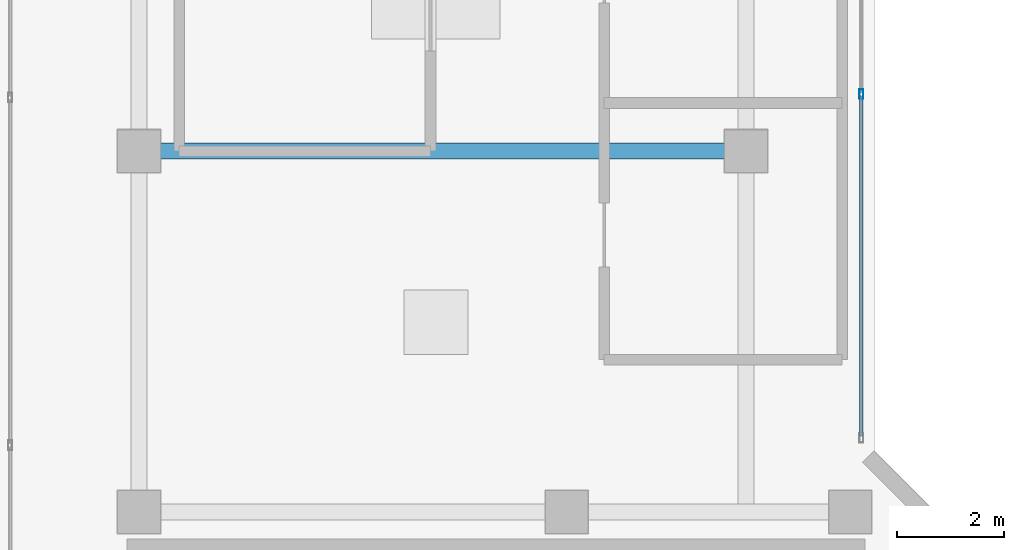
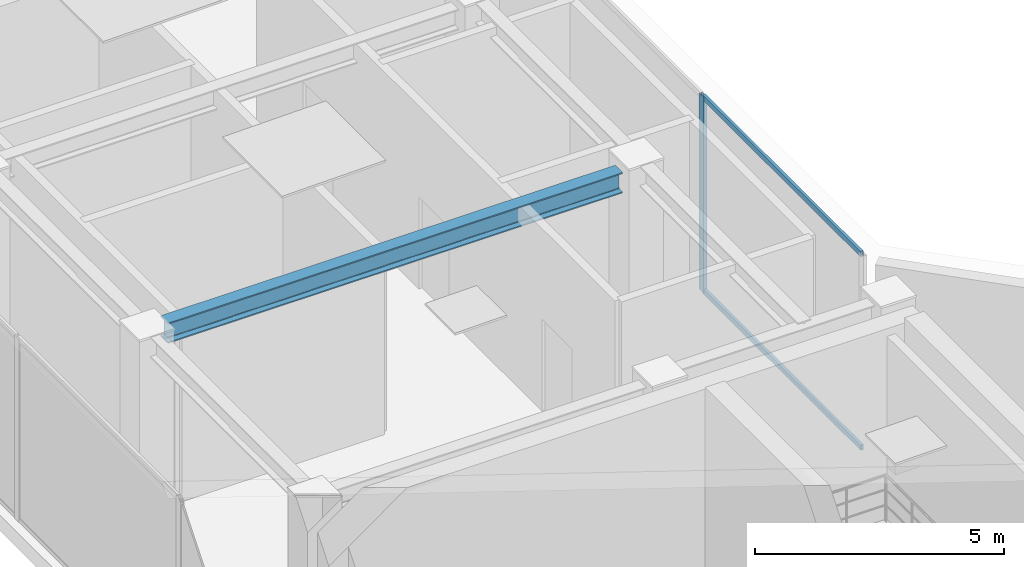
# One storey, part 12 of 22: 3 members, 1 beam, 1 element without a shape of its own.
"""IFC4 building model written with IfcOpenShell, lengths in metres."""

from ifc_helpers import new_model, si_unit, direction, frame, origin, origin_with_axes, origin_2d, place, context, subcontext, project, spatial, hollow_rectangle, i_section, extrude, source, transform, mapped, material, layer, layer_set, material_profile, profile_set, type_object, element, aggregate, save


model = new_model("IFC4")

# Units and contexts
model_context = context("Model", 3, precision=1e-05, world=origin(), true_north=direction((0.0, 1.0)))
body_context = subcontext(model_context, "Body", "Model", "MODEL_VIEW")
ifc_project = project(units=[si_unit("LENGTHUNIT", "METRE"), si_unit("AREAUNIT", "SQUARE_METRE"), si_unit("VOLUMEUNIT", "CUBIC_METRE"), si_unit("PLANEANGLEUNIT", "RADIAN"), si_unit("MASSUNIT", "GRAM", prefix="KILO")], contexts=[model_context])

# Site, building, storey
site_placement = place(None, origin())
site = spatial("IfcSite", under=ifc_project, at=site_placement, CompositionType="ELEMENT")
building_placement = place(site_placement, origin())
building = spatial("IfcBuilding", under=site, at=building_placement, Name="Kolvaren Waterfront Exchange", CompositionType="ELEMENT")
storey_placement = place(building_placement, frame((0.0, 0.0, 360.39990234375)))
storey = spatial("IfcBuildingStorey", under=building, at=storey_placement, Name="RF", CompositionType="ELEMENT", Elevation=360.39990234375)

# Beam
ifc_material_1 = material(Name="Steel S355", Category="steel")
ifc_material_profile_1 = material_profile(ifc_material_1, i_section(OverallWidth=0.300048828125, OverallDepth=0.5, WebThickness=0.014404296875, FlangeThickness=0.028076171875, FilletRadius=0.027099609375, at=origin_2d()), Name="HEB500")
ifc_profile_set_1 = profile_set([ifc_material_profile_1], Name="Steel S355")
beam_type = type_object("IfcBeamType", Name="STR-BM-HEB500", PredefinedType="BEAM", material=ifc_profile_set_1)
beam_placement = place(storey_placement, frame((7.85205078125, 31.199951171875, 4.281005859375), z_axis=(1.0, 0.0, 0.0), x_axis=(0.0, 1.0, 0.0)))
element("IfcBeam", 1, at=beam_placement, inside=storey, type_object=beam_type, Name="RF crown roof girder 20", PredefinedType="BEAM", context=body_context, shape_type="SweptSolid", body=[
    extrude(i_section(OverallWidth=0.300048828125, OverallDepth=0.5, WebThickness=0.014404296875, FlangeThickness=0.028076171875, FilletRadius=0.027099609375, at=origin_2d()), origin(), (0.0, 0.0, 1.0), 10.5458984375),
])

# Curtain wall, members
ifc_material_2 = material(Name="Anodised bronze aluminium 6063-T6", Category="aluminium")
ifc_layer = layer(ifc_material_2, 0.219970703125, Name="Anodised bronze aluminium 6063-T6")
ifc_layer_set = layer_set([ifc_layer], Name="Anodised bronze aluminium 6063-T6")
curtain_wall_type = type_object("IfcCurtainWallType", Name="ARC-CW-SYS5", PredefinedType="USERDEFINED", material=ifc_layer_set)
curtain_wall_placement = place(storey_placement, origin())
curtain_wall = element("IfcCurtainWall", 2, at=curtain_wall_placement, inside=storey, type_object=curtain_wall_type, Name="RF stick curtain wall CW5 (CW-RF-NE)", ObjectType="STICK CURTAIN WALL", PredefinedType="USERDEFINED")
ifc_material_profile_2 = material_profile(ifc_material_2, hollow_rectangle(XDim=0.074951171875, YDim=0.179931640625, WallThickness=0.00439453125, at=origin_2d()), Name="ALU-MUL-180x75x4.5")
ifc_profile_set_2 = profile_set([ifc_material_profile_2], Name="Anodised bronze aluminium 6063-T6")
member_type_1 = type_object("IfcMemberType", Name="ARC-CWM-180", PredefinedType="MULLION", material=ifc_profile_set_2)
shared_shape_1 = source(origin_with_axes(), body_context, "Body", "SweptSolid", [
    extrude(hollow_rectangle(XDim=0.074951171875, YDim=0.179931640625, WallThickness=0.00439453125, at=origin_2d()), origin(), (0.0, 0.0, 1.0), 4.81005859375),
])
member_1_placement = place(storey_placement, frame((20.9599609375, 32.2666015625, 0.0), z_axis=(0.0, 0.0, 1.0), x_axis=(-1.0, 0.0, 0.0)))
member_1 = element("IfcMember", 3, at=member_1_placement, type_object=member_type_1, Name="CW5 mullion 2", PredefinedType="MULLION", context=body_context, shape_type="MappedRepresentation", body=[
    mapped(shared_shape_1, transform((0.0, 0.0, 0.0), x_axis=(1.0, 0.0, 0.0), y_axis=(0.0, 1.0, 0.0), z_axis=(0.0, 0.0, 1.0), scale=1.0)),
])
ifc_material_profile_3 = material_profile(ifc_material_2, hollow_rectangle(XDim=0.06494140625, YDim=0.1298828125, WallThickness=0.00390625, at=origin_2d()), Name="ALU-TRN-130x65x4")
ifc_profile_set_3 = profile_set([ifc_material_profile_3], Name="Anodised bronze aluminium 6063-T6")
member_type_2 = type_object("IfcMemberType", Name="ARC-CWT-130", PredefinedType="USERDEFINED", material=ifc_profile_set_3)
shared_shape_2 = source(origin_with_axes(), body_context, "Body", "SweptSolid", [
    extrude(hollow_rectangle(XDim=0.06494140625, YDim=0.1298828125, WallThickness=0.00390625, at=origin_2d()), origin(), (0.0, 0.0, 1.0), 6.354248046875),
])
member_2_placement = place(storey_placement, frame((20.9599609375, 25.875, 0.03271484375), z_axis=(0.0, 1.0, 0.0), x_axis=(-1.0, 0.0, 0.0)))
member_2 = element("IfcMember", 4, at=member_2_placement, type_object=member_type_2, Name="CW5 transom 1.1", ObjectType="TRANSOM", PredefinedType="USERDEFINED", context=body_context, shape_type="MappedRepresentation", body=[
    mapped(shared_shape_2, transform((0.0, 0.0, 0.0), x_axis=(1.0, 0.0, 0.0), y_axis=(0.0, 1.0, 0.0), z_axis=(0.0, 0.0, 1.0), scale=1.0)),
])
member_3_placement = place(storey_placement, frame((20.9599609375, 25.875, 4.777587890625), z_axis=(0.0, 1.0, 0.0), x_axis=(-1.0, 0.0, 0.0)))
member_3 = element("IfcMember", 5, at=member_3_placement, type_object=member_type_2, Name="CW5 transom 1.2", ObjectType="TRANSOM", PredefinedType="USERDEFINED", context=body_context, shape_type="MappedRepresentation", body=[
    mapped(shared_shape_2, transform((0.0, 0.0, 0.0), x_axis=(1.0, 0.0, 0.0), y_axis=(0.0, 1.0, 0.0), z_axis=(0.0, 0.0, 1.0), scale=1.0)),
])
aggregate(curtain_wall, [member_1, member_2, member_3])

save(model, "model.ifc")
